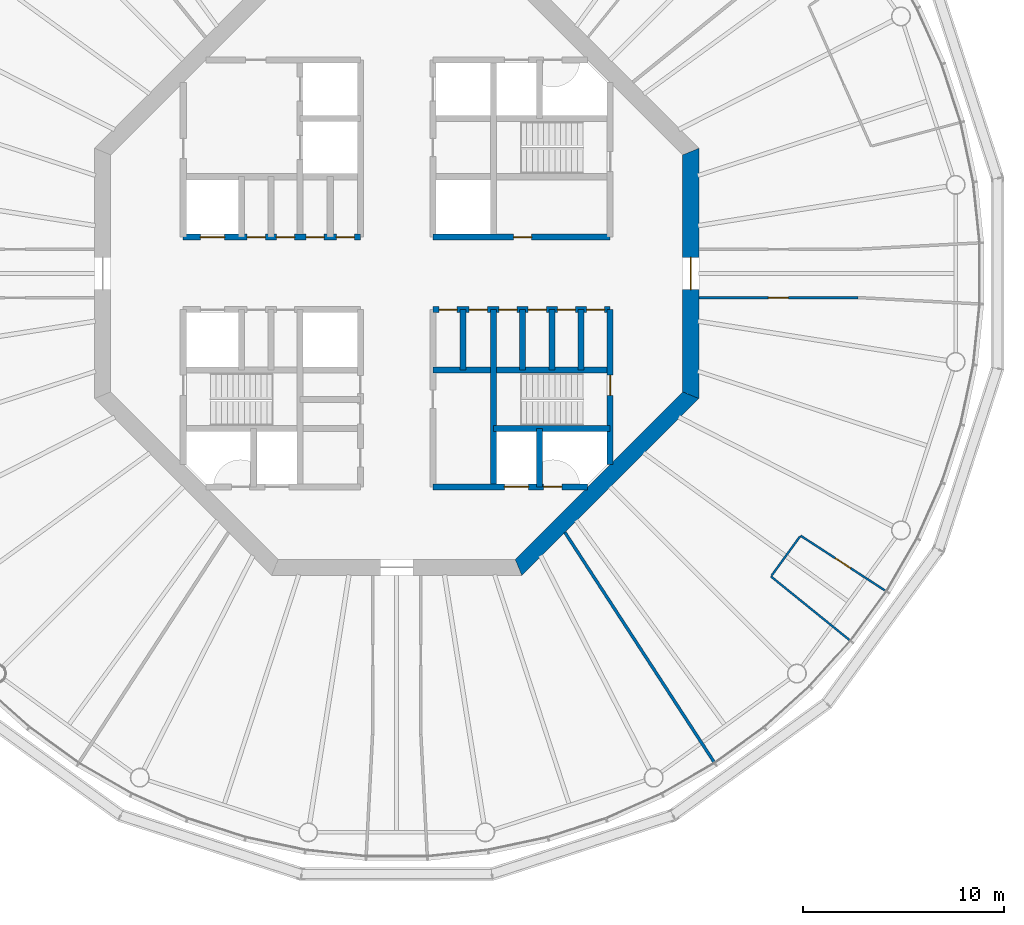
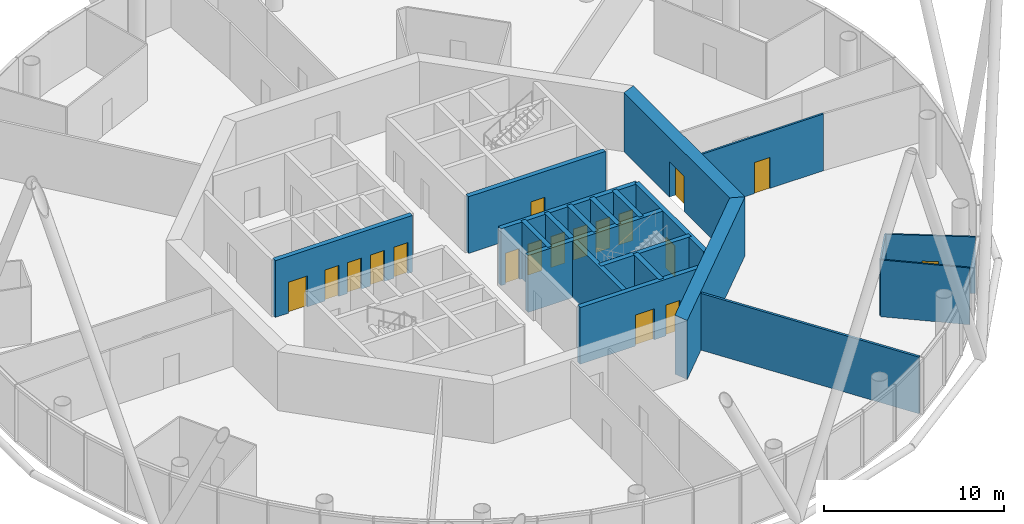
# One storey, part 4 of 13: 20 walls, 18 doors, 18 openings.
"""IFC4 building model written with IfcOpenShell, lengths in metres."""

from ifc_helpers import new_model, si_unit, direction, frame, frame_2d, origin, place, context, subcontext, project, spatial, polyline, rectangle, outline, extrude, material, layer, layer_set, type_object, element, fill, save


model = new_model("IFC4")

# Units and contexts
model_context = context("Model", 3, precision=1e-05, world=origin(), true_north=direction((0.0, 1.0)))
body_context = subcontext(model_context, "Body", "Model", "MODEL_VIEW")
ifc_project = project(units=[si_unit("LENGTHUNIT", "METRE"), si_unit("AREAUNIT", "SQUARE_METRE"), si_unit("VOLUMEUNIT", "CUBIC_METRE"), si_unit("PLANEANGLEUNIT", "RADIAN"), si_unit("MASSUNIT", "GRAM", prefix="KILO")], contexts=[model_context])

# Site, building, storey
site_placement = place(None, origin())
site = spatial("IfcSite", under=ifc_project, at=site_placement, CompositionType="ELEMENT")
building_placement = place(site_placement, origin())
building = spatial("IfcBuilding", under=site, at=building_placement, Name="Entoto Ring Tower", CompositionType="ELEMENT")
storey_placement = place(building_placement, frame((0.0, 0.0, 310.0)))
storey = spatial("IfcBuildingStorey", under=building, at=storey_placement, Name="L71", CompositionType="ELEMENT", Elevation=310.0)

# Wall, opening, door
ifc_material_1 = material(Name="Concrete C40/50", Category="concrete")
ifc_layer_1 = layer(ifc_material_1, 0.300048828125)
ifc_layer_set_1 = layer_set([ifc_layer_1], Name="Concrete C40/50")
wall_type_1 = type_object("IfcWallType", Name="Core enclosure wall 300 mm reinforced concrete", PredefinedType="SOLIDWALL", material=ifc_layer_set_1)
wall_1_placement = place(storey_placement, frame((100.60009765625, 70.518310546875, 0.0), z_axis=(0.0, 0.0, 1.0), x_axis=(0.0, 1.0, 0.0)))
wall_1 = element("IfcWall", 1, at=wall_1_placement, inside=storey, type_object=wall_type_1, Name="wall-L71-001", PredefinedType="SOLIDWALL", context=body_context, shape_type="SweptSolid", body=[
    extrude(rectangle(XDim=7.681640625, YDim=0.300048828125, at=frame_2d((3.8408203125, 0.0))), origin(), (0.0, 0.0, 1.0), 3.85009765625),
])
opening_1_placement = place(wall_1_placement, frame((3.431884765625, 0.0, 0.0)))
opening_1 = element("IfcOpeningElement", 2, at=opening_1_placement, cuts=wall_1, Name="Opening K-31", PredefinedType="OPENING", context=body_context, shape_type="SweptSolid", body=[
    extrude(rectangle(XDim=1.0, YDim=2.10009765625, at=frame_2d((0.5, 1.050048828125))), frame((0.0, 0.16015625, 0.0), z_axis=(0.0, -1.0, 0.0), x_axis=(1.0, 0.0, 0.0)), (0.0, 0.0, 1.0), 0.320068359375),
])
ifc_material_2 = material(Name="Steel door leaf, fire rated", Category="steel")
ifc_layer_2 = layer(ifc_material_2, 0.050048828125)
ifc_layer_set_2 = layer_set([ifc_layer_2], Name="Steel door leaf, fire rated")
door_type_1 = type_object("IfcDoorType", Name="Fire door FD60 1000 x 2100 single leaf", OperationType="NOTDEFINED", PredefinedType="DOOR", material=ifc_layer_set_2)
door_1_placement = place(opening_1_placement, origin())
door_1 = element("IfcDoor", 3, at=door_1_placement, inside=storey, type_object=door_type_1, Name="Door K-31", OperationType="SINGLE_SWING_RIGHT", OverallHeight=2.10009765625, OverallWidth=1.0, PredefinedType="DOOR", context=body_context, shape_type="SweptSolid", body=[
    extrude(rectangle(XDim=1.0, YDim=2.10009765625, at=frame_2d((0.5, 1.050048828125))), frame((0.0, 0.02490234375, 0.0), z_axis=(0.0, -1.0, 0.0), x_axis=(1.0, 0.0, 0.0)), (0.0, 0.0, 1.0), 0.050048828125),
])
fill(opening_1, door_1)

# Walls
for number, where, z_axis, x_axis, name in (
    (4, (99.14990234375, 75.199951171875, 0.0), (0.0, 0.0, 1.0), (0.0, 1.0, 0.0), "wall-L71-003"),
    (5, (97.699951171875, 75.199951171875, 0.0), (0.0, 0.0, 1.0), (0.0, 1.0, 0.0), "wall-L71-004"),
):
    element("IfcWall", number, at=place(storey_placement, frame(where, z_axis=z_axis, x_axis=x_axis)), inside=storey, type_object=wall_type_1, Name=name, PredefinedType="SOLIDWALL", context=body_context, shape_type="SweptSolid", body=[
        extrude(rectangle(XDim=3.0, YDim=0.300048828125, at=frame_2d((1.5, 0.0))), origin(), (0.0, 0.0, 1.0), 3.85009765625),
    ])
wall_2_placement = place(storey_placement, frame((97.10009765625, 69.39990234375, 0.0), z_axis=(0.0, 0.0, 1.0), x_axis=(0.0, 1.0, 0.0)))
element("IfcWall", 6, at=wall_2_placement, inside=storey, type_object=wall_type_1, Name="wall-L71-005", PredefinedType="SOLIDWALL", context=body_context, shape_type="SweptSolid", body=[
    extrude(rectangle(XDim=2.900146484375, YDim=0.300048828125, at=frame_2d((1.4501953125, 0.0))), origin(), (0.0, 0.0, 1.0), 3.85009765625),
])
wall_3_placement = place(storey_placement, frame((96.25, 75.199951171875, 0.0), z_axis=(0.0, 0.0, 1.0), x_axis=(0.0, 1.0, 0.0)))
element("IfcWall", 7, at=wall_3_placement, inside=storey, type_object=wall_type_1, Name="wall-L71-007", PredefinedType="SOLIDWALL", context=body_context, shape_type="SweptSolid", body=[
    extrude(rectangle(XDim=3.0, YDim=0.300048828125, at=frame_2d((1.5, 0.0))), origin(), (0.0, 0.0, 1.0), 3.85009765625),
])
wall_4_placement = place(storey_placement, frame((94.800048828125, 69.39990234375, 0.0), z_axis=(0.0, 0.0, 1.0), x_axis=(0.0, 1.0, 0.0)))
element("IfcWall", 8, at=wall_4_placement, inside=storey, type_object=wall_type_1, Name="wall-L71-008", PredefinedType="SOLIDWALL", context=body_context, shape_type="SweptSolid", body=[
    extrude(rectangle(XDim=8.800048828125, YDim=0.300048828125, at=frame_2d((4.39990234375, 0.0))), origin(), (0.0, 0.0, 1.0), 3.85009765625),
])
wall_5_placement = place(storey_placement, frame((93.300048828125, 75.199951171875, 0.0), z_axis=(0.0, 0.0, 1.0), x_axis=(0.0, 1.0, 0.0)))
element("IfcWall", 9, at=wall_5_placement, inside=storey, type_object=wall_type_1, Name="wall-L71-010", PredefinedType="SOLIDWALL", context=body_context, shape_type="SweptSolid", body=[
    extrude(rectangle(XDim=3.0, YDim=0.300048828125, at=frame_2d((1.5, 0.0))), origin(), (0.0, 0.0, 1.0), 3.85009765625),
])

# Wall, openings, doors
wall_6_placement = place(storey_placement, frame((91.800048828125, 69.39990234375, 0.0), z_axis=(0.0, 0.0, 1.0), x_axis=(1.0, 0.0, 0.0)))
wall_6 = element("IfcWall", 10, at=wall_6_placement, inside=storey, type_object=wall_type_1, Name="wall-L71-026", PredefinedType="SOLIDWALL", context=body_context, shape_type="SweptSolid", body=[
    extrude(rectangle(XDim=7.681640625, YDim=0.300048828125, at=frame_2d((3.8408203125, 0.0))), origin(), (0.0, 0.0, 1.0), 3.85009765625),
])
opening_2_placement = place(wall_6_placement, frame((3.550048828125, 0.0, 0.0)))
opening_2 = element("IfcOpeningElement", 11, at=opening_2_placement, cuts=wall_6, Name="Opening LD", PredefinedType="OPENING", context=body_context, shape_type="SweptSolid", body=[
    extrude(rectangle(XDim=1.199951171875, YDim=2.10009765625, at=frame_2d((0.60009765625, 1.050048828125))), frame((0.0, 0.16015625, 0.0), z_axis=(0.0, -1.0, 0.0), x_axis=(1.0, 0.0, 0.0)), (0.0, 0.0, 1.0), 0.320068359375),
])
opening_3_placement = place(wall_6_placement, frame((5.5, 0.0, 0.0)))
opening_3 = element("IfcOpeningElement", 12, at=opening_3_placement, cuts=wall_6, Name="Opening K-34", PredefinedType="OPENING", context=body_context, shape_type="SweptSolid", body=[
    extrude(rectangle(XDim=0.89990234375, YDim=2.10009765625, at=frame_2d((0.449951171875, 1.050048828125))), frame((0.0, 0.16015625, 0.0), z_axis=(0.0, -1.0, 0.0), x_axis=(1.0, 0.0, 0.0)), (0.0, 0.0, 1.0), 0.320068359375),
])
ifc_material_3 = material(Name="Steel and glass door leaf", Category="steel")
ifc_layer_3 = layer(ifc_material_3, 0.050048828125)
ifc_layer_set_3 = layer_set([ifc_layer_3], Name="Steel and glass door leaf")
door_type_2 = type_object("IfcDoorType", Name="Landing door 1200 x 2100 sliding", OperationType="DOUBLE_DOOR_SLIDING", PredefinedType="DOOR", material=ifc_layer_set_3)
door_2_placement = place(opening_2_placement, origin())
door_2 = element("IfcDoor", 13, at=door_2_placement, inside=storey, type_object=door_type_2, Name="Landing door LB2-HR", OperationType="SLIDING_TO_RIGHT", OverallHeight=2.10009765625, OverallWidth=1.199951171875, PredefinedType="DOOR", context=body_context, shape_type="SweptSolid", body=[
    extrude(rectangle(XDim=1.199951171875, YDim=2.10009765625, at=frame_2d((0.60009765625, 1.050048828125))), frame((0.0, 0.02490234375, 0.0), z_axis=(0.0, -1.0, 0.0), x_axis=(1.0, 0.0, 0.0)), (0.0, 0.0, 1.0), 0.050048828125),
])
fill(opening_2, door_2)
ifc_material_4 = material(Name="Steel door leaf, fire rated", Category="steel")
ifc_layer_4 = layer(ifc_material_4, 0.050048828125)
ifc_layer_set_4 = layer_set([ifc_layer_4], Name="Steel door leaf, fire rated")
door_type_3 = type_object("IfcDoorType", Name="Riser door FD60 900 x 2100 single leaf", OperationType="NOTDEFINED", PredefinedType="DOOR", material=ifc_layer_set_4)
door_3_placement = place(opening_3_placement, origin())
door_3 = element("IfcDoor", 14, at=door_3_placement, inside=storey, type_object=door_type_3, Name="Door K-34", OperationType="SINGLE_SWING_LEFT", OverallHeight=2.10009765625, OverallWidth=0.89990234375, PredefinedType="DOOR", context=body_context, shape_type="SweptSolid", body=[
    extrude(rectangle(XDim=0.89990234375, YDim=2.10009765625, at=frame_2d((0.449951171875, 1.050048828125))), frame((0.0, 0.02490234375, 0.0), z_axis=(0.0, -1.0, 0.0), x_axis=(1.0, 0.0, 0.0)), (0.0, 0.0, 1.0), 0.050048828125),
])
fill(opening_3, door_3)

# Walls
wall_7_placement = place(storey_placement, frame((94.800048828125, 72.300048828125, 0.0), z_axis=(0.0, 0.0, 1.0), x_axis=(1.0, 0.0, 0.0)))
element("IfcWall", 15, at=wall_7_placement, inside=storey, type_object=wall_type_1, Name="wall-L71-028", PredefinedType="SOLIDWALL", context=body_context, shape_type="SweptSolid", body=[
    extrude(rectangle(XDim=5.800048828125, YDim=0.300048828125, at=frame_2d((2.89990234375, 0.0))), origin(), (0.0, 0.0, 1.0), 3.85009765625),
])
wall_8_placement = place(storey_placement, frame((91.800048828125, 75.199951171875, 0.0), z_axis=(0.0, 0.0, 1.0), x_axis=(1.0, 0.0, 0.0)))
element("IfcWall", 16, at=wall_8_placement, inside=storey, type_object=wall_type_1, Name="wall-L71-031", PredefinedType="SOLIDWALL", context=body_context, shape_type="SweptSolid", body=[
    extrude(rectangle(XDim=8.800048828125, YDim=0.300048828125, at=frame_2d((4.39990234375, 0.0))), origin(), (0.0, 0.0, 1.0), 3.85009765625),
])

# Wall, openings, doors
wall_9_placement = place(storey_placement, frame((91.800048828125, 78.199951171875, 0.0), z_axis=(0.0, 0.0, 1.0), x_axis=(1.0, 0.0, 0.0)))
wall_9 = element("IfcWall", 17, at=wall_9_placement, inside=storey, type_object=wall_type_1, Name="wall-L71-033", PredefinedType="SOLIDWALL", context=body_context, shape_type="SweptSolid", body=[
    extrude(rectangle(XDim=8.800048828125, YDim=0.300048828125, at=frame_2d((4.39990234375, 0.0))), origin(), (0.0, 0.0, 1.0), 3.85009765625),
])
opening_4_placement = place(wall_9_placement, frame((3.27490234375, 0.0, 0.0)))
opening_4 = element("IfcOpeningElement", 18, at=opening_4_placement, cuts=wall_9, Name="Opening K-14", PredefinedType="OPENING", context=body_context, shape_type="SweptSolid", body=[
    extrude(rectangle(XDim=0.89990234375, YDim=2.10009765625, at=frame_2d((0.449951171875, 1.050048828125))), frame((0.0, 0.16015625, 0.0), z_axis=(0.0, -1.0, 0.0), x_axis=(1.0, 0.0, 0.0)), (0.0, 0.0, 1.0), 0.320068359375),
])
opening_5_placement = place(wall_9_placement, frame((4.72509765625, 0.0, 0.0)))
opening_5 = element("IfcOpeningElement", 19, at=opening_5_placement, cuts=wall_9, Name="Opening K-15", PredefinedType="OPENING", context=body_context, shape_type="SweptSolid", body=[
    extrude(rectangle(XDim=0.89990234375, YDim=2.10009765625, at=frame_2d((0.449951171875, 1.050048828125))), frame((0.0, 0.16015625, 0.0), z_axis=(0.0, -1.0, 0.0), x_axis=(1.0, 0.0, 0.0)), (0.0, 0.0, 1.0), 0.320068359375),
])
opening_6_placement = place(wall_9_placement, frame((6.175048828125, 0.0, 0.0)))
opening_6 = element("IfcOpeningElement", 20, at=opening_6_placement, cuts=wall_9, Name="Opening K-16", PredefinedType="OPENING", context=body_context, shape_type="SweptSolid", body=[
    extrude(rectangle(XDim=0.89990234375, YDim=2.10009765625, at=frame_2d((0.449951171875, 1.050048828125))), frame((0.0, 0.16015625, 0.0), z_axis=(0.0, -1.0, 0.0), x_axis=(1.0, 0.0, 0.0)), (0.0, 0.0, 1.0), 0.320068359375),
])
opening_7_placement = place(wall_9_placement, frame((7.625, 0.0, 0.0)))
opening_7 = element("IfcOpeningElement", 21, at=opening_7_placement, cuts=wall_9, Name="Opening K-57", PredefinedType="OPENING", context=body_context, shape_type="SweptSolid", body=[
    extrude(rectangle(XDim=0.89990234375, YDim=2.10009765625, at=frame_2d((0.449951171875, 1.050048828125))), frame((0.0, 0.16015625, 0.0), z_axis=(0.0, -1.0, 0.0), x_axis=(1.0, 0.0, 0.0)), (0.0, 0.0, 1.0), 0.320068359375),
])
opening_8_placement = place(wall_9_placement, frame((0.300048828125, 0.0, 0.0)))
opening_8 = element("IfcOpeningElement", 22, at=opening_8_placement, cuts=wall_9, Name="Opening K-79", PredefinedType="OPENING", context=body_context, shape_type="SweptSolid", body=[
    extrude(rectangle(XDim=0.89990234375, YDim=2.10009765625, at=frame_2d((0.449951171875, 1.050048828125))), frame((0.0, 0.16015625, 0.0), z_axis=(0.0, -1.0, 0.0), x_axis=(1.0, 0.0, 0.0)), (0.0, 0.0, 1.0), 0.320068359375),
])
opening_9_placement = place(wall_9_placement, frame((1.800048828125, 0.0, 0.0)))
opening_9 = element("IfcOpeningElement", 23, at=opening_9_placement, cuts=wall_9, Name="Opening K-81", PredefinedType="OPENING", context=body_context, shape_type="SweptSolid", body=[
    extrude(rectangle(XDim=0.89990234375, YDim=2.10009765625, at=frame_2d((0.449951171875, 1.050048828125))), frame((0.0, 0.16015625, 0.0), z_axis=(0.0, -1.0, 0.0), x_axis=(1.0, 0.0, 0.0)), (0.0, 0.0, 1.0), 0.320068359375),
])
ifc_material_5 = material(Name="Steel door leaf, fire rated", Category="steel")
ifc_layer_5 = layer(ifc_material_5, 0.050048828125)
ifc_layer_set_5 = layer_set([ifc_layer_5], Name="Steel door leaf, fire rated")
door_type_4 = type_object("IfcDoorType", Name="Core door 900 x 2100 single leaf", OperationType="NOTDEFINED", PredefinedType="DOOR", material=ifc_layer_set_5)
door_4_placement = place(opening_4_placement, frame((0.89990234375, 0.0, 0.0), z_axis=(0.0, 0.0, 1.0), x_axis=(-1.0, 0.0, 0.0)))
door_4 = element("IfcDoor", 24, at=door_4_placement, inside=storey, type_object=door_type_4, Name="Door K-14", OperationType="SINGLE_SWING_LEFT", OverallHeight=2.10009765625, OverallWidth=0.89990234375, PredefinedType="DOOR", context=body_context, shape_type="SweptSolid", body=[
    extrude(rectangle(XDim=0.89990234375, YDim=2.10009765625, at=frame_2d((0.449951171875, 1.050048828125))), frame((0.0, 0.02490234375, 0.0), z_axis=(0.0, -1.0, 0.0), x_axis=(1.0, 0.0, 0.0)), (0.0, 0.0, 1.0), 0.050048828125),
])
fill(opening_4, door_4)
door_5_placement = place(opening_5_placement, frame((0.89990234375, 0.0, 0.0), z_axis=(0.0, 0.0, 1.0), x_axis=(-1.0, 0.0, 0.0)))
door_5 = element("IfcDoor", 25, at=door_5_placement, inside=storey, type_object=door_type_4, Name="Door K-15", OperationType="SINGLE_SWING_RIGHT", OverallHeight=2.10009765625, OverallWidth=0.89990234375, PredefinedType="DOOR", context=body_context, shape_type="SweptSolid", body=[
    extrude(rectangle(XDim=0.89990234375, YDim=2.10009765625, at=frame_2d((0.449951171875, 1.050048828125))), frame((0.0, 0.02490234375, 0.0), z_axis=(0.0, -1.0, 0.0), x_axis=(1.0, 0.0, 0.0)), (0.0, 0.0, 1.0), 0.050048828125),
])
fill(opening_5, door_5)
door_6_placement = place(opening_6_placement, frame((0.89990234375, 0.0, 0.0), z_axis=(0.0, 0.0, 1.0), x_axis=(-1.0, 0.0, 0.0)))
door_6 = element("IfcDoor", 26, at=door_6_placement, inside=storey, type_object=door_type_4, Name="Door K-16", OperationType="SINGLE_SWING_RIGHT", OverallHeight=2.10009765625, OverallWidth=0.89990234375, PredefinedType="DOOR", context=body_context, shape_type="SweptSolid", body=[
    extrude(rectangle(XDim=0.89990234375, YDim=2.10009765625, at=frame_2d((0.449951171875, 1.050048828125))), frame((0.0, 0.02490234375, 0.0), z_axis=(0.0, -1.0, 0.0), x_axis=(1.0, 0.0, 0.0)), (0.0, 0.0, 1.0), 0.050048828125),
])
fill(opening_6, door_6)
door_7_placement = place(opening_7_placement, frame((0.89990234375, 0.0, 0.0), z_axis=(0.0, 0.0, 1.0), x_axis=(-1.0, 0.0, 0.0)))
door_7 = element("IfcDoor", 27, at=door_7_placement, inside=storey, type_object=door_type_4, Name="Door K-57", OperationType="SINGLE_SWING_RIGHT", OverallHeight=2.10009765625, OverallWidth=0.89990234375, PredefinedType="DOOR", context=body_context, shape_type="SweptSolid", body=[
    extrude(rectangle(XDim=0.89990234375, YDim=2.10009765625, at=frame_2d((0.449951171875, 1.050048828125))), frame((0.0, 0.02490234375, 0.0), z_axis=(0.0, -1.0, 0.0), x_axis=(1.0, 0.0, 0.0)), (0.0, 0.0, 1.0), 0.050048828125),
])
fill(opening_7, door_7)
door_8_placement = place(opening_8_placement, frame((0.89990234375, 0.0, 0.0), z_axis=(0.0, 0.0, 1.0), x_axis=(-1.0, 0.0, 0.0)))
door_8 = element("IfcDoor", 28, at=door_8_placement, inside=storey, type_object=door_type_4, Name="Door K-79", OperationType="SINGLE_SWING_RIGHT", OverallHeight=2.10009765625, OverallWidth=0.89990234375, PredefinedType="DOOR", context=body_context, shape_type="SweptSolid", body=[
    extrude(rectangle(XDim=0.89990234375, YDim=2.10009765625, at=frame_2d((0.449951171875, 1.050048828125))), frame((0.0, 0.02490234375, 0.0), z_axis=(0.0, -1.0, 0.0), x_axis=(1.0, 0.0, 0.0)), (0.0, 0.0, 1.0), 0.050048828125),
])
fill(opening_8, door_8)
door_9_placement = place(opening_9_placement, frame((0.89990234375, 0.0, 0.0), z_axis=(0.0, 0.0, 1.0), x_axis=(-1.0, 0.0, 0.0)))
door_9 = element("IfcDoor", 29, at=door_9_placement, inside=storey, type_object=door_type_4, Name="Door K-81", OperationType="SINGLE_SWING_RIGHT", OverallHeight=2.10009765625, OverallWidth=0.89990234375, PredefinedType="DOOR", context=body_context, shape_type="SweptSolid", body=[
    extrude(rectangle(XDim=0.89990234375, YDim=2.10009765625, at=frame_2d((0.449951171875, 1.050048828125))), frame((0.0, 0.02490234375, 0.0), z_axis=(0.0, -1.0, 0.0), x_axis=(1.0, 0.0, 0.0)), (0.0, 0.0, 1.0), 0.050048828125),
])
fill(opening_9, door_9)

wall_10_placement = place(storey_placement, frame((79.39990234375, 81.800048828125, 0.0), z_axis=(0.0, 0.0, 1.0), x_axis=(1.0, 0.0, 0.0)))
wall_10 = element("IfcWall", 30, at=wall_10_placement, inside=storey, type_object=wall_type_1, Name="wall-L71-034", PredefinedType="SOLIDWALL", context=body_context, shape_type="SweptSolid", body=[
    extrude(rectangle(XDim=8.800048828125, YDim=0.300048828125, at=frame_2d((4.39990234375, 0.0))), origin(), (0.0, 0.0, 1.0), 3.85009765625),
])
opening_10_placement = place(wall_10_placement, frame((0.85009765625, 0.0, 0.0)))
opening_10 = element("IfcOpeningElement", 31, at=opening_10_placement, cuts=wall_10, Name="Opening LD", PredefinedType="OPENING", context=body_context, shape_type="SweptSolid", body=[
    extrude(rectangle(XDim=1.199951171875, YDim=2.10009765625, at=frame_2d((0.60009765625, 1.050048828125))), frame((0.0, 0.16015625, 0.0), z_axis=(0.0, -1.0, 0.0), x_axis=(1.0, 0.0, 0.0)), (0.0, 0.0, 1.0), 0.320068359375),
])
opening_11_placement = place(wall_10_placement, frame((3.175048828125, 0.0, 0.0)))
opening_11 = element("IfcOpeningElement", 32, at=opening_11_placement, cuts=wall_10, Name="Opening K-12", PredefinedType="OPENING", context=body_context, shape_type="SweptSolid", body=[
    extrude(rectangle(XDim=0.89990234375, YDim=2.10009765625, at=frame_2d((0.449951171875, 1.050048828125))), frame((0.0, 0.16015625, 0.0), z_axis=(0.0, -1.0, 0.0), x_axis=(1.0, 0.0, 0.0)), (0.0, 0.0, 1.0), 0.320068359375),
])
opening_12_placement = place(wall_10_placement, frame((4.625, 0.0, 0.0)))
opening_12 = element("IfcOpeningElement", 33, at=opening_12_placement, cuts=wall_10, Name="Opening K-46", PredefinedType="OPENING", context=body_context, shape_type="SweptSolid", body=[
    extrude(rectangle(XDim=0.89990234375, YDim=2.10009765625, at=frame_2d((0.449951171875, 1.050048828125))), frame((0.0, 0.16015625, 0.0), z_axis=(0.0, -1.0, 0.0), x_axis=(1.0, 0.0, 0.0)), (0.0, 0.0, 1.0), 0.320068359375),
])
opening_13_placement = place(wall_10_placement, frame((6.10009765625, 0.0, 0.0)))
opening_13 = element("IfcOpeningElement", 34, at=opening_13_placement, cuts=wall_10, Name="Opening K-25", PredefinedType="OPENING", context=body_context, shape_type="SweptSolid", body=[
    extrude(rectangle(XDim=0.89990234375, YDim=2.10009765625, at=frame_2d((0.449951171875, 1.050048828125))), frame((0.0, 0.16015625, 0.0), z_axis=(0.0, -1.0, 0.0), x_axis=(1.0, 0.0, 0.0)), (0.0, 0.0, 1.0), 0.320068359375),
])
opening_14_placement = place(wall_10_placement, frame((7.60009765625, 0.0, 0.0)))
opening_14 = element("IfcOpeningElement", 35, at=opening_14_placement, cuts=wall_10, Name="Opening K-77", PredefinedType="OPENING", context=body_context, shape_type="SweptSolid", body=[
    extrude(rectangle(XDim=0.89990234375, YDim=2.10009765625, at=frame_2d((0.449951171875, 1.050048828125))), frame((0.0, 0.16015625, 0.0), z_axis=(0.0, -1.0, 0.0), x_axis=(1.0, 0.0, 0.0)), (0.0, 0.0, 1.0), 0.320068359375),
])
door_10_placement = place(opening_11_placement, origin())
door_10 = element("IfcDoor", 36, at=door_10_placement, inside=storey, type_object=door_type_4, Name="Door K-12", OperationType="SINGLE_SWING_RIGHT", OverallHeight=2.10009765625, OverallWidth=0.89990234375, PredefinedType="DOOR", context=body_context, shape_type="SweptSolid", body=[
    extrude(rectangle(XDim=0.89990234375, YDim=2.10009765625, at=frame_2d((0.449951171875, 1.050048828125))), frame((0.0, 0.02490234375, 0.0), z_axis=(0.0, -1.0, 0.0), x_axis=(1.0, 0.0, 0.0)), (0.0, 0.0, 1.0), 0.050048828125),
])
fill(opening_11, door_10)
door_11_placement = place(opening_12_placement, origin())
door_11 = element("IfcDoor", 37, at=door_11_placement, inside=storey, type_object=door_type_4, Name="Door K-46", OperationType="SINGLE_SWING_RIGHT", OverallHeight=2.10009765625, OverallWidth=0.89990234375, PredefinedType="DOOR", context=body_context, shape_type="SweptSolid", body=[
    extrude(rectangle(XDim=0.89990234375, YDim=2.10009765625, at=frame_2d((0.449951171875, 1.050048828125))), frame((0.0, 0.02490234375, 0.0), z_axis=(0.0, -1.0, 0.0), x_axis=(1.0, 0.0, 0.0)), (0.0, 0.0, 1.0), 0.050048828125),
])
fill(opening_12, door_11)
door_12_placement = place(opening_13_placement, origin())
door_12 = element("IfcDoor", 38, at=door_12_placement, inside=storey, type_object=door_type_4, Name="Door K-25", OperationType="SINGLE_SWING_LEFT", OverallHeight=2.10009765625, OverallWidth=0.89990234375, PredefinedType="DOOR", context=body_context, shape_type="SweptSolid", body=[
    extrude(rectangle(XDim=0.89990234375, YDim=2.10009765625, at=frame_2d((0.449951171875, 1.050048828125))), frame((0.0, 0.02490234375, 0.0), z_axis=(0.0, -1.0, 0.0), x_axis=(1.0, 0.0, 0.0)), (0.0, 0.0, 1.0), 0.050048828125),
])
fill(opening_13, door_12)
door_13_placement = place(opening_14_placement, origin())
door_13 = element("IfcDoor", 39, at=door_13_placement, inside=storey, type_object=door_type_4, Name="Door K-77", OperationType="SINGLE_SWING_LEFT", OverallHeight=2.10009765625, OverallWidth=0.89990234375, PredefinedType="DOOR", context=body_context, shape_type="SweptSolid", body=[
    extrude(rectangle(XDim=0.89990234375, YDim=2.10009765625, at=frame_2d((0.449951171875, 1.050048828125))), frame((0.0, 0.02490234375, 0.0), z_axis=(0.0, -1.0, 0.0), x_axis=(1.0, 0.0, 0.0)), (0.0, 0.0, 1.0), 0.050048828125),
])
fill(opening_14, door_13)
door_14_placement = place(opening_10_placement, origin())
door_14 = element("IfcDoor", 40, at=door_14_placement, inside=storey, type_object=door_type_2, Name="Landing door SH1", OperationType="SLIDING_TO_RIGHT", OverallHeight=2.10009765625, OverallWidth=1.199951171875, PredefinedType="DOOR", context=body_context, shape_type="SweptSolid", body=[
    extrude(rectangle(XDim=1.199951171875, YDim=2.10009765625, at=frame_2d((0.60009765625, 1.050048828125))), frame((0.0, 0.02490234375, 0.0), z_axis=(0.0, -1.0, 0.0), x_axis=(1.0, 0.0, 0.0)), (0.0, 0.0, 1.0), 0.050048828125),
])
fill(opening_10, door_14)

# Wall, opening, door
wall_11_placement = place(storey_placement, frame((91.800048828125, 81.800048828125, 0.0), z_axis=(0.0, 0.0, 1.0), x_axis=(1.0, 0.0, 0.0)))
wall_11 = element("IfcWall", 41, at=wall_11_placement, inside=storey, type_object=wall_type_1, Name="wall-L71-035", PredefinedType="SOLIDWALL", context=body_context, shape_type="SweptSolid", body=[
    extrude(rectangle(XDim=8.800048828125, YDim=0.300048828125, at=frame_2d((4.39990234375, 0.0))), origin(), (0.0, 0.0, 1.0), 3.85009765625),
])
opening_15_placement = place(wall_11_placement, frame((4.0, 0.0, 0.0)))
opening_15 = element("IfcOpeningElement", 42, at=opening_15_placement, cuts=wall_11, Name="Opening K-11", PredefinedType="OPENING", context=body_context, shape_type="SweptSolid", body=[
    extrude(rectangle(XDim=0.89990234375, YDim=2.10009765625, at=frame_2d((0.449951171875, 1.050048828125))), frame((0.0, 0.16015625, 0.0), z_axis=(0.0, -1.0, 0.0), x_axis=(1.0, 0.0, 0.0)), (0.0, 0.0, 1.0), 0.320068359375),
])
door_15_placement = place(opening_15_placement, origin())
door_15 = element("IfcDoor", 43, at=door_15_placement, inside=storey, type_object=door_type_4, Name="Door K-11", OperationType="SINGLE_SWING_LEFT", OverallHeight=2.10009765625, OverallWidth=0.89990234375, PredefinedType="DOOR", context=body_context, shape_type="SweptSolid", body=[
    extrude(rectangle(XDim=0.89990234375, YDim=2.10009765625, at=frame_2d((0.449951171875, 1.050048828125))), frame((0.0, 0.02490234375, 0.0), z_axis=(0.0, -1.0, 0.0), x_axis=(1.0, 0.0, 0.0)), (0.0, 0.0, 1.0), 0.050048828125),
])
fill(opening_15, door_15)

ifc_material_6 = material(Name="Concrete C40/50", Category="concrete")
ifc_layer_6 = layer(ifc_material_6, 0.800048828125)
ifc_layer_set_6 = layer_set([ifc_layer_6], Name="Concrete C40/50")
wall_type_2 = type_object("IfcWallType", Name="Core shear wall 800 mm reinforced concrete C40/50", PredefinedType="SHEAR", material=ifc_layer_set_6)
wall_12_placement = place(storey_placement, frame((104.60009765625, 73.952392578125, 0.0), z_axis=(0.0, 0.0, 1.0), x_axis=(0.0, 1.0, 0.0)))
wall_12 = element("IfcWall", 44, at=wall_12_placement, inside=storey, type_object=wall_type_2, Name="wall-L71-core-0", PredefinedType="SHEAR", context=body_context, shape_type="SweptSolid", body=[
    extrude(outline(polyline([(-0.165771484375, -0.39990234375), (12.260986328125, -0.39990234375), (11.929443359375, 0.39990234375), (0.165771484375, 0.39990234375), (-0.165771484375, -0.39990234375)])), origin(), (0.0, 0.0, 1.0), 4.0),
])
opening_16_placement = place(wall_12_placement, frame((5.24755859375, 0.0, 0.0)))
opening_16 = element("IfcOpeningElement", 45, at=opening_16_placement, cuts=wall_12, Name="Opening K-01", PredefinedType="OPENING", context=body_context, shape_type="SweptSolid", body=[
    extrude(rectangle(XDim=1.60009765625, YDim=2.39990234375, at=frame_2d((0.800048828125, 1.199951171875))), frame((0.0, 0.41015625, 0.0), z_axis=(0.0, -1.0, 0.0), x_axis=(1.0, 0.0, 0.0)), (0.0, 0.0, 1.0), 0.820068359375),
])
ifc_material_7 = material(Name="Steel door leaf, fire rated", Category="steel")
ifc_layer_7 = layer(ifc_material_7, 0.050048828125)
ifc_layer_set_7 = layer_set([ifc_layer_7], Name="Steel door leaf, fire rated")
door_type_5 = type_object("IfcDoorType", Name="Entrance door FD60 1600 x 2400 double leaf", OperationType="DOUBLE_DOOR_SINGLE_SWING", PredefinedType="DOOR", material=ifc_layer_set_7)
door_16_placement = place(opening_16_placement, origin())
door_16 = element("IfcDoor", 46, at=door_16_placement, inside=storey, type_object=door_type_5, Name="Entrance door K-01", OperationType="DOUBLE_DOOR_SINGLE_SWING", OverallHeight=2.39990234375, OverallWidth=1.60009765625, PredefinedType="DOOR", context=body_context, shape_type="SweptSolid", body=[
    extrude(rectangle(XDim=1.60009765625, YDim=2.39990234375, at=frame_2d((0.800048828125, 1.199951171875))), frame((0.0, 0.02490234375, 0.0), z_axis=(0.0, -1.0, 0.0), x_axis=(1.0, 0.0, 0.0)), (0.0, 0.0, 1.0), 0.050048828125),
])
fill(opening_16, door_16)

# Wall
wall_13_placement = place(storey_placement, frame((96.047607421875, 65.39990234375, 0.0), z_axis=(0.0, 0.0, 1.0), x_axis=(0.707106781187, 0.707106781187, 0.0)))
element("IfcWall", 47, at=wall_13_placement, inside=storey, type_object=wall_type_2, Name="wall-L71-core-7", PredefinedType="SHEAR", context=body_context, shape_type="SweptSolid", body=[
    extrude(outline(polyline([(-0.165771484375, -0.39990234375), (12.2607421875, -0.39990234375), (11.92919921875, 0.39990234375), (0.165771484375, 0.39990234375), (-0.165771484375, -0.39990234375)])), origin(), (0.0, 0.0, 1.0), 4.0),
])

# Wall, opening, door
ifc_material_8 = material(Name="Fire-resisting plasterboard on steel studs", Category="steel")
ifc_layer_8 = layer(ifc_material_8, 0.125)
ifc_layer_set_8 = layer_set([ifc_layer_8], Name="Fire-resisting plasterboard on steel studs")
wall_type_3 = type_object("IfcWallType", Name="Corridor wall 125 mm one-hour plasterboard on steel studs", PredefinedType="PARTITIONING", material=ifc_layer_set_8)
wall_14_placement = place(storey_placement, frame((105.0, 78.800048828125, 0.0), z_axis=(0.0, 0.0, 1.0), x_axis=(1.0, 0.0, 0.0)))
wall_14 = element("IfcWall", 48, at=wall_14_placement, inside=storey, type_object=wall_type_3, Name="partition-L71-007", PredefinedType="PARTITIONING", context=body_context, shape_type="SweptSolid", body=[
    extrude(rectangle(XDim=7.8974609375, YDim=0.125, at=frame_2d((3.94873046875, 0.0))), origin(), (0.0, 0.0, 1.0), 3.85009765625),
])
opening_17_placement = place(wall_14_placement, frame((3.44873046875, 0.0, 0.0)))
opening_17 = element("IfcOpeningElement", 49, at=opening_17_placement, cuts=wall_14, Name="Opening A31-D13", PredefinedType="OPENING", context=body_context, shape_type="SweptSolid", body=[
    extrude(rectangle(XDim=1.0, YDim=2.10009765625, at=frame_2d((0.5, 1.050048828125))), frame((0.0, 0.072509765625, 0.0), z_axis=(0.0, -1.0, 0.0), x_axis=(1.0, 0.0, 0.0)), (0.0, 0.0, 1.0), 0.14501953125),
])
ifc_material_9 = material(Name="Fire-resisting timber door set", Category="wood")
door_type_6 = type_object("IfcDoorType", Name="Door 1000 x 2100 single leaf FD30S fire door", OperationType="NOTDEFINED", PredefinedType="DOOR", material=ifc_material_9)
door_17_placement = place(opening_17_placement, frame((1.0, 0.0, 0.0), z_axis=(0.0, 0.0, 1.0), x_axis=(-1.0, 0.0, 0.0)))
door_17 = element("IfcDoor", 50, at=door_17_placement, inside=storey, type_object=door_type_6, Name="Door A31-D13", OperationType="SINGLE_SWING_RIGHT", OverallHeight=2.10009765625, OverallWidth=1.0, PredefinedType="DOOR", context=body_context, shape_type="SweptSolid", body=[
    extrude(rectangle(XDim=1.0, YDim=2.10009765625, at=frame_2d((0.5, 1.050048828125))), frame((0.0, 0.02490234375, 0.0), z_axis=(0.0, -1.0, 0.0), x_axis=(1.0, 0.0, 0.0)), (0.0, 0.0, 1.0), 0.050048828125),
])
fill(opening_17, door_17)

ifc_material_10 = material(Name="Plasterboard on steel studs", Category="steel")
ifc_layer_9 = layer(ifc_material_10, 0.10009765625)
ifc_layer_set_9 = layer_set([ifc_layer_9], Name="Plasterboard on steel studs")
wall_type_4 = type_object("IfcWallType", Name="Partition 100 mm plasterboard on steel studs", PredefinedType="PARTITIONING", material=ifc_layer_set_9)
wall_15_placement = place(storey_placement, frame((114.27099609375, 64.238037109375, 0.0), z_axis=(0.0, 0.0, 1.0), x_axis=(-0.83865092054, 0.544669288171, 0.0)))
wall_15 = element("IfcWall", 51, at=wall_15_placement, inside=storey, type_object=wall_type_4, Name="partition-L71-025", PredefinedType="PARTITIONING", context=body_context, shape_type="SweptSolid", body=[
    extrude(rectangle(XDim=5.030029296875, YDim=0.10009765625, at=frame_2d((2.51513671875, 0.0))), origin(), (0.0, 0.0, 1.0), 3.85009765625),
])
opening_18_placement = place(wall_15_placement, frame((2.06494140625, 0.0, 0.0)))
opening_18 = element("IfcOpeningElement", 52, at=opening_18_placement, cuts=wall_15, Name="Opening A31-D14", PredefinedType="OPENING", context=body_context, shape_type="SweptSolid", body=[
    extrude(rectangle(XDim=0.89990234375, YDim=2.10009765625, at=frame_2d((0.449951171875, 1.050048828125))), frame((0.0, 0.06005859375, 0.0), z_axis=(0.0, -1.0, 0.0), x_axis=(1.0, 0.0, 0.0)), (0.0, 0.0, 1.0), 0.1201171875),
])
ifc_material_11 = material(Name="Veneered timber door leaf in timber frame", Category="wood")
door_type_7 = type_object("IfcDoorType", Name="Door 900 x 2100 single leaf timber veneer", OperationType="NOTDEFINED", PredefinedType="DOOR", material=ifc_material_11)
door_18_placement = place(opening_18_placement, origin())
door_18 = element("IfcDoor", 53, at=door_18_placement, inside=storey, type_object=door_type_7, Name="Door A31-D14", OperationType="SINGLE_SWING_LEFT", OverallHeight=2.10009765625, OverallWidth=0.89990234375, PredefinedType="DOOR", context=body_context, shape_type="SweptSolid", body=[
    extrude(rectangle(XDim=0.89990234375, YDim=2.10009765625, at=frame_2d((0.449951171875, 1.050048828125))), frame((0.0, 0.02490234375, 0.0), z_axis=(0.0, -1.0, 0.0), x_axis=(1.0, 0.0, 0.0)), (0.0, 0.0, 1.0), 0.050048828125),
])
fill(opening_18, door_18)

# Walls
wall_16_placement = place(storey_placement, frame((112.490478515625, 61.78759765625, 0.0), z_axis=(0.0, 0.0, 1.0), x_axis=(-0.777156695115, 0.629307135855, 0.0)))
element("IfcWall", 54, at=wall_16_placement, inside=storey, type_object=wall_type_4, Name="partition-L71-026", PredefinedType="PARTITIONING", context=body_context, shape_type="SweptSolid", body=[
    extrude(rectangle(XDim=5.02978515625, YDim=0.10009765625, at=frame_2d((2.514892578125, 0.0))), origin(), (0.0, 0.0, 1.0), 3.85009765625),
])
wall_17_placement = place(storey_placement, frame((108.61083984375, 64.993408203125, 0.0), z_axis=(0.0, 0.0, 1.0), x_axis=(0.587803101129, 0.809004026135, 0.0)))
element("IfcWall", 55, at=wall_17_placement, inside=storey, type_object=wall_type_4, Name="partition-L71-038", PredefinedType="PARTITIONING", context=body_context, shape_type="SweptSolid", body=[
    extrude(rectangle(XDim=2.40283203125, YDim=0.10009765625, at=frame_2d((1.201416015625, 0.0))), origin(), (0.0, 0.0, 1.0), 3.85009765625),
])
ifc_material_12 = material(Name="Fire-resisting acoustic plasterboard on steel studs", Category="steel")
ifc_layer_10 = layer(ifc_material_12, 0.14990234375)
ifc_layer_set_10 = layer_set([ifc_layer_10], Name="Fire-resisting acoustic plasterboard on steel studs")
wall_type_5 = type_object("IfcWallType", Name="Party wall 150 mm one-hour acoustic plasterboard on steel studs", PredefinedType="PARTITIONING", material=ifc_layer_set_10)
wall_18_placement = place(storey_placement, frame((105.761962890625, 55.72900390625, 0.0), z_axis=(0.0, 0.0, 1.0), x_axis=(-0.544650850813, 0.838662894558, 0.0)))
element("IfcWall", 56, at=wall_18_placement, inside=storey, type_object=wall_type_5, Name="partition-L71-020", PredefinedType="PARTITIONING", context=body_context, shape_type="SweptSolid", body=[
    extrude(rectangle(XDim=13.60498046875, YDim=0.14990234375, at=frame_2d((6.802490234375, 0.0))), origin(), (0.0, 0.0, 1.0), 3.85009765625),
])

save(model, "model.ifc")
